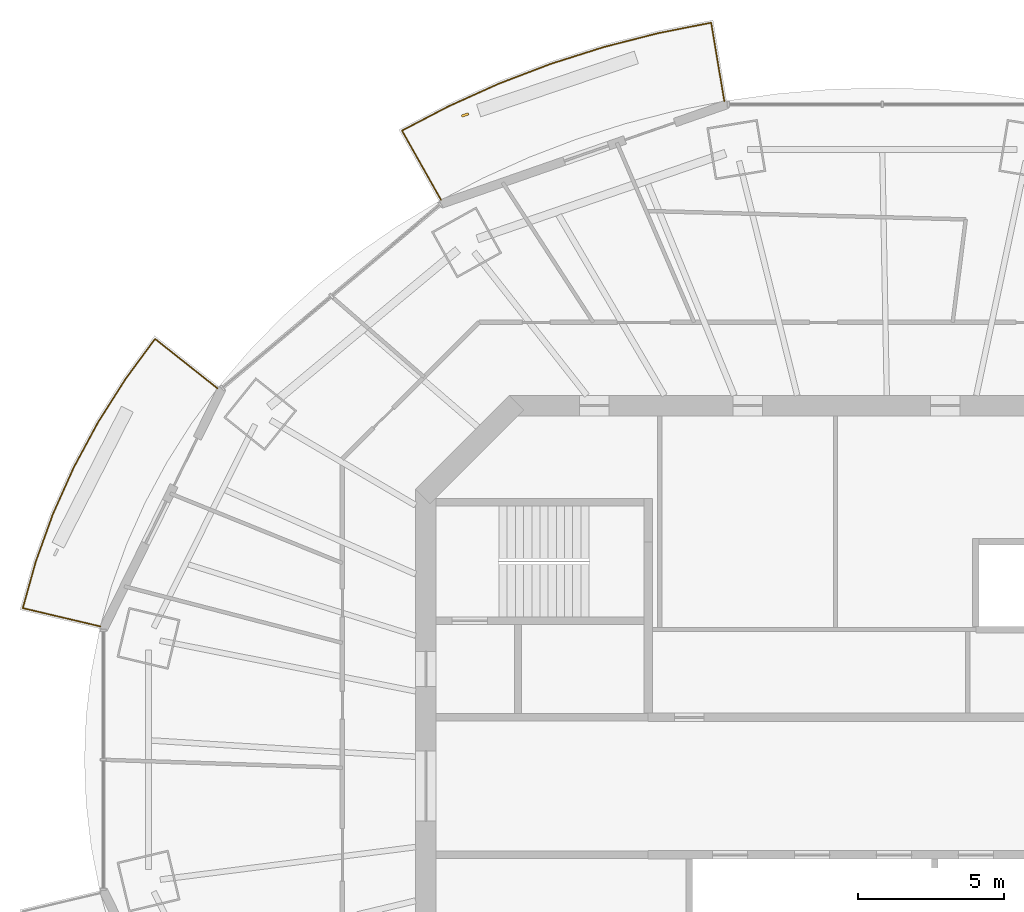
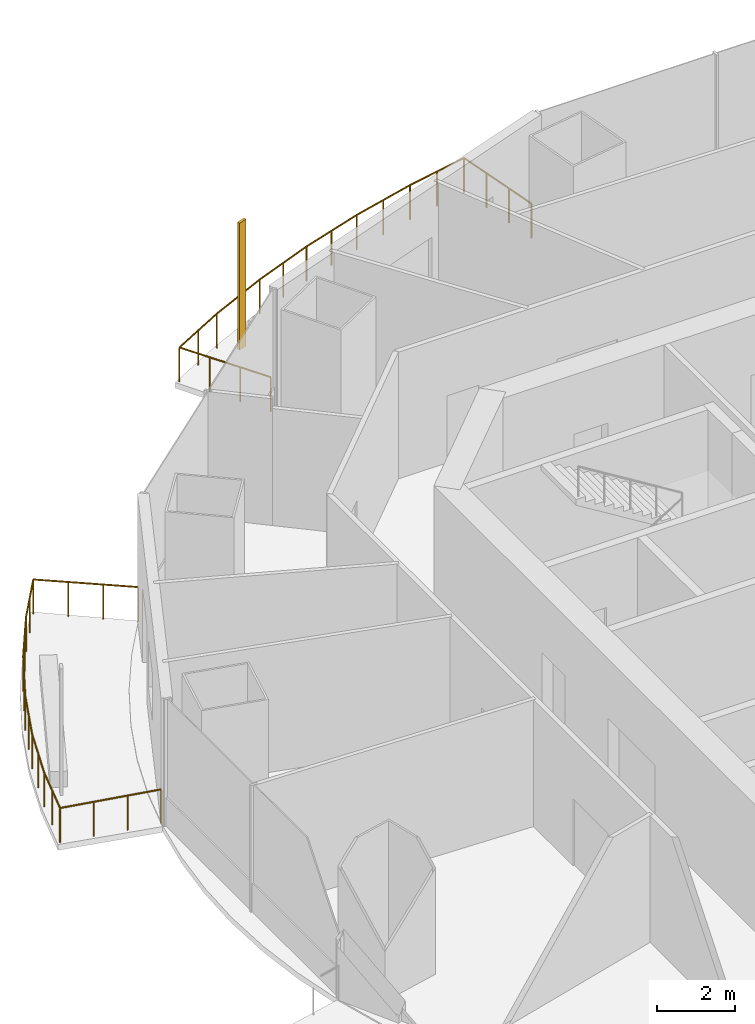
# One storey, part 14 of 16: 2 railings, 1 shading device.
"""IFC4 building model written with IfcOpenShell, lengths in metres."""

from ifc_helpers import new_model, si_unit, direction, frame, origin, origin_2d, place, context, subcontext, project, spatial, rectangle, circle, extrude, material, material_profile, profile_set, type_object, element, save


model = new_model("IFC4")

# Units and contexts
model_context = context("Model", 3, precision=1e-05, world=origin(), true_north=direction((0.0, 1.0)))
body_context = subcontext(model_context, "Body", "Model", "MODEL_VIEW")
ifc_project = project(units=[si_unit("LENGTHUNIT", "METRE"), si_unit("AREAUNIT", "SQUARE_METRE"), si_unit("VOLUMEUNIT", "CUBIC_METRE"), si_unit("PLANEANGLEUNIT", "RADIAN"), si_unit("MASSUNIT", "GRAM", prefix="KILO")], contexts=[model_context])

# Site, building, storey
site_placement = place(None, origin())
site = spatial("IfcSite", under=ifc_project, at=site_placement, CompositionType="ELEMENT")
building_placement = place(site_placement, origin())
building = spatial("IfcBuilding", under=site, at=building_placement, Name="Marenthal Gate Tower", CompositionType="ELEMENT")
storey_placement = place(building_placement, frame((0.0, 0.0, 334.300048828125)))
storey = spatial("IfcBuildingStorey", under=building, at=storey_placement, Name="L75", CompositionType="ELEMENT", Elevation=334.300048828125)

# Railings
ifc_material_1 = material(Name="Stainless steel", Category="steel")
railing_type = type_object("IfcRailingType", Name="Balcony guard 1100", PredefinedType="GUARDRAIL", material=ifc_material_1)
railing_1_placement = place(storey_placement, frame((-15.47998046875, 20.031494140625, 0.0)))
element("IfcRailing", 1, at=railing_1_placement, inside=storey, type_object=railing_type, Name="Balcony guard L75 bay 5", PredefinedType="GUARDRAIL", context=body_context, shape_type="SweptSolid", body=[
    extrude(circle(Radius=0.02392578125, at=origin_2d()), frame((0.0, 0.0, 1.076171875), z_axis=(-0.490740668141, 0.871181358019, -0.014718630134), x_axis=(-0.871275738879, -0.490793833336, 0.0)), (0.0, 0.0, 1.0), 2.72021484375),
    extrude(circle(Radius=0.02392578125, at=origin_2d()), frame((-1.3349609375, 2.369873046875, 1.0361328125), z_axis=(0.886507182027, 0.462714832498, 0.0), x_axis=(-0.462714832498, 0.886507182027, 0.0)), (0.0, 0.0, 1.0), 1.7939453125),
    extrude(circle(Radius=0.02392578125, at=origin_2d()), frame((0.25537109375, 3.199951171875, 1.0361328125), z_axis=(0.911863363512, 0.410493856573, 0.0), x_axis=(-0.410493856573, 0.911863363512, 0.0)), (0.0, 0.0, 1.0), 1.885986328125),
    extrude(circle(Radius=0.02392578125, at=origin_2d()), frame((1.97509765625, 3.97412109375, 1.0361328125), z_axis=(0.934293977025, 0.356503526623, 0.0), x_axis=(-0.356503526623, 0.934293977025, 0.0)), (0.0, 0.0, 1.0), 1.897705078125),
    extrude(circle(Radius=0.02392578125, at=origin_2d()), frame((3.748046875, 4.650634765625, 1.0361328125), z_axis=(0.953251321023, 0.302178620963, 0.0), x_axis=(-0.302178620963, 0.953251321023, 0.0)), (0.0, 0.0, 1.0), 1.907470703125),
    extrude(circle(Radius=0.02392578125, at=origin_2d()), frame((5.56640625, 5.22705078125, 1.0361328125), z_axis=(0.96890861354, 0.24741887278, 0.0), x_axis=(-0.24741887278, 0.96890861354, 0.0)), (0.0, 0.0, 1.0), 1.916259765625),
    extrude(circle(Radius=0.02392578125, at=origin_2d()), frame((7.423095703125, 5.701171875, 1.0361328125), z_axis=(0.981021353845, 0.193899724859, 0.0), x_axis=(-0.193899724859, 0.981021353845, 0.0)), (0.0, 0.0, 1.0), 1.84326171875),
    extrude(circle(Radius=0.02392578125, at=origin_2d()), frame((9.2314453125, 6.05859375, 1.0361328125), z_axis=(0.165312526275, -0.986131399953, 0.014718379104), x_axis=(0.98623823047, 0.165330435068, 0.0)), (0.0, 0.0, 1.0), 2.720458984375),
    extrude(circle(Radius=0.02099609375, at=origin_2d()), origin(), (0.0, 0.0, 1.0), 1.052001953125),
    extrude(circle(Radius=0.02099609375, at=origin_2d()), frame((-0.445068359375, 0.7900390625, -0.013427734375)), (0.0, 0.0, 1.0), 1.052001953125),
    extrude(circle(Radius=0.02099609375, at=origin_2d()), frame((-0.889892578125, 1.579833984375, -0.026611328125)), (0.0, 0.0, 1.0), 1.052001953125),
    extrude(circle(Radius=0.02099609375, at=origin_2d()), frame((-1.3349609375, 2.369873046875, -0.0400390625)), (0.0, 0.0, 1.0), 1.052001953125),
    extrude(circle(Radius=0.02099609375, at=origin_2d()), frame((-0.539794921875, 2.784912109375, -0.0400390625)), (0.0, 0.0, 1.0), 1.052001953125),
    extrude(circle(Radius=0.02099609375, at=origin_2d()), frame((0.25537109375, 3.199951171875, -0.0400390625)), (0.0, 0.0, 1.0), 1.052001953125),
    extrude(circle(Radius=0.02099609375, at=origin_2d()), frame((1.115234375, 3.5869140625, -0.0400390625)), (0.0, 0.0, 1.0), 1.052001953125),
    extrude(circle(Radius=0.02099609375, at=origin_2d()), frame((1.97509765625, 3.97412109375, -0.0400390625)), (0.0, 0.0, 1.0), 1.052001953125),
    extrude(circle(Radius=0.02099609375, at=origin_2d()), frame((2.861572265625, 4.3125, -0.0400390625)), (0.0, 0.0, 1.0), 1.052001953125),
    extrude(circle(Radius=0.02099609375, at=origin_2d()), frame((3.748046875, 4.650634765625, -0.0400390625)), (0.0, 0.0, 1.0), 1.052001953125),
    extrude(circle(Radius=0.02099609375, at=origin_2d()), frame((4.6572265625, 4.93896484375, -0.0400390625)), (0.0, 0.0, 1.0), 1.052001953125),
    extrude(circle(Radius=0.02099609375, at=origin_2d()), frame((5.56640625, 5.22705078125, -0.0400390625)), (0.0, 0.0, 1.0), 1.052001953125),
    extrude(circle(Radius=0.02099609375, at=origin_2d()), frame((6.49462890625, 5.464111328125, -0.0400390625)), (0.0, 0.0, 1.0), 1.052001953125),
    extrude(circle(Radius=0.02099609375, at=origin_2d()), frame((7.423095703125, 5.701171875, -0.0400390625)), (0.0, 0.0, 1.0), 1.052001953125),
    extrude(circle(Radius=0.02099609375, at=origin_2d()), frame((8.3271484375, 5.8798828125, -0.0400390625)), (0.0, 0.0, 1.0), 1.052001953125),
    extrude(circle(Radius=0.02099609375, at=origin_2d()), frame((9.2314453125, 6.05859375, -0.0400390625)), (0.0, 0.0, 1.0), 1.052001953125),
    extrude(circle(Radius=0.02099609375, at=origin_2d()), frame((9.38134765625, 5.164306640625, -0.026611328125)), (0.0, 0.0, 1.0), 1.052001953125),
    extrude(circle(Radius=0.02099609375, at=origin_2d()), frame((9.53125, 4.270263671875, -0.013427734375)), (0.0, 0.0, 1.0), 1.052001953125),
    extrude(circle(Radius=0.02099609375, at=origin_2d()), frame((9.68115234375, 3.3759765625, 0.0)), (0.0, 0.0, 1.0), 1.052001953125),
])
railing_2_placement = place(storey_placement, frame((-27.126708984375, 5.45751953125, 0.0)))
element("IfcRailing", 2, at=railing_2_placement, inside=storey, type_object=railing_type, Name="Balcony guard L75 bay 7", PredefinedType="GUARDRAIL", context=body_context, shape_type="SweptSolid", body=[
    extrude(circle(Radius=0.02392578125, at=origin_2d()), frame((0.0, 0.0, 1.076171875), z_axis=(-0.97315730439, 0.229669790827, -0.014718970573), x_axis=(-0.229694673631, -0.973262737859, 0.0)), (0.0, 0.0, 1.0), 2.72021484375),
    extrude(circle(Radius=0.02392578125, at=origin_2d()), frame((-2.647216796875, 0.624755859375, 1.0361328125), z_axis=(0.268600452735, 0.963251678841, 0.0), x_axis=(-0.963251678841, 0.268600452735, 0.0)), (0.0, 0.0, 1.0), 1.645263671875),
    extrude(circle(Radius=0.02392578125, at=origin_2d()), frame((-2.205322265625, 2.20947265625, 1.0361328125), z_axis=(0.338924060667, 0.940813733478, 0.0), x_axis=(-0.940813733478, 0.338924060667, 0.0)), (0.0, 0.0, 1.0), 1.732421875),
    extrude(circle(Radius=0.02392578125, at=origin_2d()), frame((-1.6181640625, 3.83935546875, 1.0361328125), z_axis=(0.407984820198, 0.912988711041, 0.0), x_axis=(-0.912988711041, 0.407984820198, 0.0)), (0.0, 0.0, 1.0), 1.741455078125),
    extrude(circle(Radius=0.02392578125, at=origin_2d()), frame((-0.90771484375, 5.42919921875, 1.0361328125), z_axis=(0.47377562076, 0.880645593399, 0.0), x_axis=(-0.880645593399, 0.47377562076, 0.0)), (0.0, 0.0, 1.0), 1.75146484375),
    extrude(circle(Radius=0.02392578125, at=origin_2d()), frame((-0.077880859375, 6.9716796875, 1.0361328125), z_axis=(0.535835828865, 0.844322192356, 0.0), x_axis=(-0.844322192356, 0.535835828865, 0.0)), (0.0, 0.0, 1.0), 1.76318359375),
    extrude(circle(Radius=0.02392578125, at=origin_2d()), frame((0.866943359375, 8.46044921875, 1.0361328125), z_axis=(0.592673479354, 0.805442826569, 0.0), x_axis=(-0.805442826569, 0.592673479354, 0.0)), (0.0, 0.0, 1.0), 1.69580078125),
    extrude(circle(Radius=0.02392578125, at=origin_2d()), frame((1.8720703125, 9.826416015625, 1.0361328125), z_axis=(0.783569480419, -0.621129810329, 0.01471829055), x_axis=(0.621197098339, 0.783654365786, 0.0)), (0.0, 0.0, 1.0), 2.720458984375),
    extrude(circle(Radius=0.02099609375, at=origin_2d()), origin(), (0.0, 0.0, 1.0), 1.052001953125),
    extrude(circle(Radius=0.02099609375, at=origin_2d()), frame((-0.88232421875, 0.208251953125, -0.013427734375)), (0.0, 0.0, 1.0), 1.052001953125),
    extrude(circle(Radius=0.02099609375, at=origin_2d()), frame((-1.764892578125, 0.41650390625, -0.026611328125)), (0.0, 0.0, 1.0), 1.052001953125),
    extrude(circle(Radius=0.02099609375, at=origin_2d()), frame((-2.647216796875, 0.624755859375, -0.0400390625)), (0.0, 0.0, 1.0), 1.052001953125),
    extrude(circle(Radius=0.02099609375, at=origin_2d()), frame((-2.42626953125, 1.4169921875, -0.0400390625)), (0.0, 0.0, 1.0), 1.052001953125),
    extrude(circle(Radius=0.02099609375, at=origin_2d()), frame((-2.205322265625, 2.20947265625, -0.0400390625)), (0.0, 0.0, 1.0), 1.052001953125),
    extrude(circle(Radius=0.02099609375, at=origin_2d()), frame((-1.91162109375, 3.0244140625, -0.0400390625)), (0.0, 0.0, 1.0), 1.052001953125),
    extrude(circle(Radius=0.02099609375, at=origin_2d()), frame((-1.6181640625, 3.83935546875, -0.0400390625)), (0.0, 0.0, 1.0), 1.052001953125),
    extrude(circle(Radius=0.02099609375, at=origin_2d()), frame((-1.262939453125, 4.63427734375, -0.0400390625)), (0.0, 0.0, 1.0), 1.052001953125),
    extrude(circle(Radius=0.02099609375, at=origin_2d()), frame((-0.90771484375, 5.42919921875, -0.0400390625)), (0.0, 0.0, 1.0), 1.052001953125),
    extrude(circle(Radius=0.02099609375, at=origin_2d()), frame((-0.49267578125, 6.200439453125, -0.0400390625)), (0.0, 0.0, 1.0), 1.052001953125),
    extrude(circle(Radius=0.02099609375, at=origin_2d()), frame((-0.077880859375, 6.9716796875, -0.0400390625)), (0.0, 0.0, 1.0), 1.052001953125),
    extrude(circle(Radius=0.02099609375, at=origin_2d()), frame((0.39453125, 7.716064453125, -0.0400390625)), (0.0, 0.0, 1.0), 1.052001953125),
    extrude(circle(Radius=0.02099609375, at=origin_2d()), frame((0.866943359375, 8.46044921875, -0.0400390625)), (0.0, 0.0, 1.0), 1.052001953125),
    extrude(circle(Radius=0.02099609375, at=origin_2d()), frame((1.36962890625, 9.1435546875, -0.0400390625)), (0.0, 0.0, 1.0), 1.052001953125),
    extrude(circle(Radius=0.02099609375, at=origin_2d()), frame((1.8720703125, 9.826416015625, -0.0400390625)), (0.0, 0.0, 1.0), 1.052001953125),
    extrude(circle(Radius=0.02099609375, at=origin_2d()), frame((2.58251953125, 9.26318359375, -0.026611328125)), (0.0, 0.0, 1.0), 1.052001953125),
    extrude(circle(Radius=0.02099609375, at=origin_2d()), frame((3.293212890625, 8.699951171875, -0.013427734375)), (0.0, 0.0, 1.0), 1.052001953125),
    extrude(circle(Radius=0.02099609375, at=origin_2d()), frame((4.003662109375, 8.13671875, 0.0)), (0.0, 0.0, 1.0), 1.052001953125),
])

# Shading device
ifc_material_2 = material(Name="Terracotta", Category="masonry")
ifc_material_profile = material_profile(ifc_material_2, rectangle(XDim=0.25, YDim=0.080078125, at=origin_2d()), Name="Terracotta baguette 250x80")
ifc_profile_set = profile_set([ifc_material_profile], Name="Terracotta")
shading_device_type = type_object("IfcShadingDeviceType", Name="Terracotta BAGUETTE SCREEN 250x80", PredefinedType="USERDEFINED", material=ifc_profile_set)
shading_device_placement = place(storey_placement, frame((-14.658935546875, 22.935302734375, -0.0400390625), z_axis=(0.0, 0.0, 1.0), x_axis=(-0.944185799872, -0.329413380602, 0.0)))
element("IfcShadingDevice", 3, at=shading_device_placement, inside=storey, type_object=shading_device_type, Name="Terracotta BAGUETTE L75 bay 5R", ObjectType="BAGUETTE SCREEN", PredefinedType="USERDEFINED", context=body_context, shape_type="SweptSolid", body=[
    extrude(rectangle(XDim=0.25, YDim=0.080078125, at=origin_2d()), origin(), (0.0, 0.0, 1.0), 3.969970703125),
])

save(model, "model.ifc")
